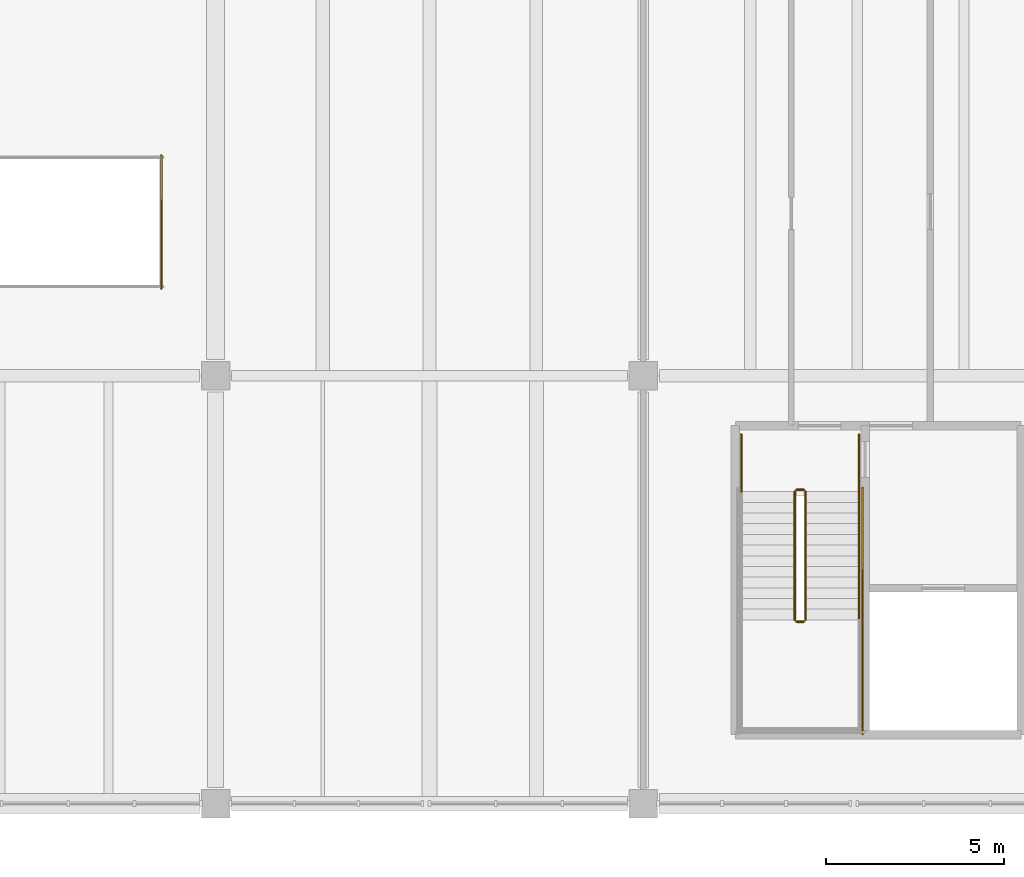
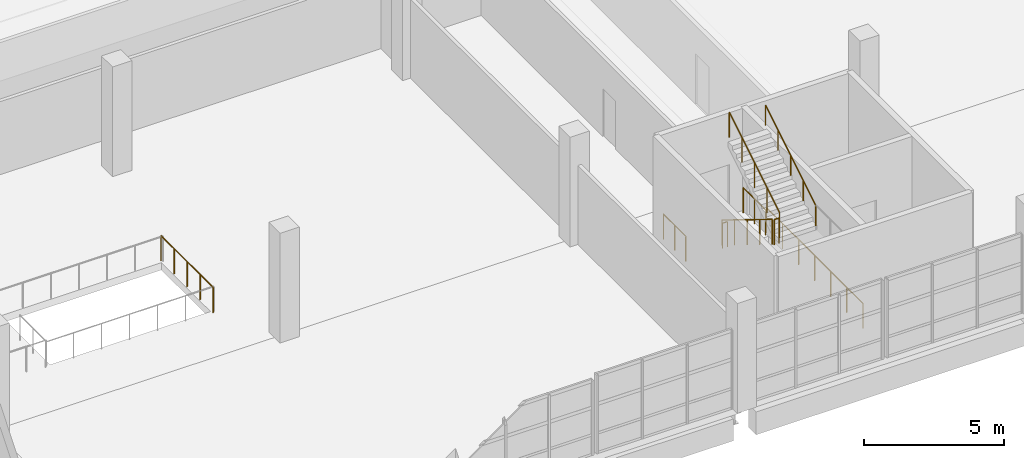
# One storey, part 101 of 112: 9 railings.
"""IFC4 building model written with IfcOpenShell, lengths in metres."""

from ifc_helpers import new_model, si_unit, direction, frame, origin, origin_2d, place, context, subcontext, project, spatial, circle, extrude, material, type_object, element, save


model = new_model("IFC4")

# Units and contexts
model_context = context("Model", 3, precision=1e-05, world=origin(), true_north=direction((0.0, 1.0)))
body_context = subcontext(model_context, "Body", "Model", "MODEL_VIEW")
ifc_project = project(units=[si_unit("LENGTHUNIT", "METRE"), si_unit("AREAUNIT", "SQUARE_METRE"), si_unit("VOLUMEUNIT", "CUBIC_METRE"), si_unit("PLANEANGLEUNIT", "RADIAN"), si_unit("MASSUNIT", "GRAM", prefix="KILO")], contexts=[model_context])

# Site, building, storey
site_placement = place(None, origin())
site = spatial("IfcSite", under=ifc_project, at=site_placement, CompositionType="ELEMENT")
building_placement = place(site_placement, origin())
building = spatial("IfcBuilding", under=site, at=building_placement, Name="Kamomehara Wholesale Market", CompositionType="ELEMENT")
storey_placement = place(building_placement, frame((0.0, 0.0, 6.60009765625)))
storey = spatial("IfcBuildingStorey", under=building, at=storey_placement, Name="L01", CompositionType="ELEMENT", Elevation=6.60009765625)

# Railings
ifc_material_1 = material(Name="Steel SN400B", Category="steel")
railing_type_1 = type_object("IfcRailingType", Name="RAL-HND-900", PredefinedType="HANDRAIL", material=ifc_material_1)
railing_1_placement = place(storey_placement, frame((150.050048828125, 17.14990234375, 2.58447265625)))
element("IfcRailing", 1, at=railing_1_placement, inside=storey, type_object=railing_type_1, Name="L01 ST-08 stair handrail 2", PredefinedType="HANDRAIL", context=body_context, shape_type="SweptSolid", body=[
    extrude(circle(Radius=0.02392578125, at=origin_2d()), frame((0.0, 0.0, 0.8759765625), z_axis=(0.0, 0.85167021472, 0.524078090897), x_axis=(-1.0, 0.0, 0.0)), (0.0, 0.0, 1.0), 4.22705078125),
    extrude(circle(Radius=0.02099609375, at=origin_2d()), origin(), (0.0, 0.0, 1.0), 0.851806640625),
    extrude(circle(Radius=0.02099609375, at=origin_2d()), frame((0.0, 0.89990234375, 0.5537109375)), (0.0, 0.0, 1.0), 0.851806640625),
    extrude(circle(Radius=0.02099609375, at=origin_2d()), frame((0.0, 1.800048828125, 1.107666015625)), (0.0, 0.0, 1.0), 0.851806640625),
    extrude(circle(Radius=0.02099609375, at=origin_2d()), frame((0.0, 2.7001953125, 1.66162109375)), (0.0, 0.0, 1.0), 0.851806640625),
    extrude(circle(Radius=0.02099609375, at=origin_2d()), frame((0.0, 3.60009765625, 2.21533203125)), (0.0, 0.0, 1.0), 0.851806640625),
])
ifc_material_2 = material(Name="Steel SN400B", Category="steel")
railing_type_2 = type_object("IfcRailingType", Name="RAL-INT-1100", PredefinedType="BALUSTRADE", material=ifc_material_2)
railing_2_placement = place(storey_placement, frame((148.25, 20.75, 0.1845703125)))
element("IfcRailing", 2, at=railing_2_placement, inside=storey, type_object=railing_type_2, Name="L01 ST-08 stair guard 1", PredefinedType="BALUSTRADE", context=body_context, shape_type="SweptSolid", body=[
    extrude(circle(Radius=0.02392578125, at=origin_2d()), frame((0.0, 0.0, 1.09619140625), z_axis=(0.0, -0.85167021472, 0.524078090897), x_axis=(1.0, 0.0, 0.0)), (0.0, 0.0, 1.0), 4.22705078125),
    extrude(circle(Radius=0.02099609375, at=origin_2d()), origin(), (0.0, 0.0, 1.0), 1.072021484375),
    extrude(circle(Radius=0.02099609375, at=origin_2d()), frame((0.0, -0.89990234375, 0.5537109375)), (0.0, 0.0, 1.0), 1.072021484375),
    extrude(circle(Radius=0.02099609375, at=origin_2d()), frame((0.0, -1.800048828125, 1.107666015625)), (0.0, 0.0, 1.0), 1.072021484375),
    extrude(circle(Radius=0.02099609375, at=origin_2d()), frame((0.0, -2.7001953125, 1.66162109375)), (0.0, 0.0, 1.0), 1.072021484375),
    extrude(circle(Radius=0.02099609375, at=origin_2d()), frame((0.0, -3.60009765625, 2.21533203125)), (0.0, 0.0, 1.0), 1.072021484375),
])
railing_3_placement = place(storey_placement, frame((148.300048828125, 17.10009765625, 2.39990234375)))
element("IfcRailing", 3, at=railing_3_placement, inside=storey, type_object=railing_type_2, Name="L01 ST-08 stair guard 2", PredefinedType="BALUSTRADE", context=body_context, shape_type="SweptSolid", body=[
    extrude(circle(Radius=0.02392578125, at=origin_2d()), frame((0.0, 0.0, 1.09619140625), z_axis=(1.0, 0.0, 0.0), x_axis=(0.0, 1.0, 0.0)), (0.0, 0.0, 1.0), 0.199951171875),
    extrude(circle(Radius=0.02099609375, at=origin_2d()), origin(), (0.0, 0.0, 1.0), 1.072021484375),
    extrude(circle(Radius=0.02099609375, at=origin_2d()), frame((0.199951171875, 0.0, 0.0)), (0.0, 0.0, 1.0), 1.072021484375),
])
railing_4_placement = place(storey_placement, frame((148.550048828125, 17.14990234375, 2.58447265625)))
element("IfcRailing", 4, at=railing_4_placement, inside=storey, type_object=railing_type_2, Name="L01 ST-08 stair guard 6", PredefinedType="BALUSTRADE", context=body_context, shape_type="SweptSolid", body=[
    extrude(circle(Radius=0.02392578125, at=origin_2d()), frame((0.0, 0.0, 1.09619140625), z_axis=(0.0, 0.85167021472, 0.524078090897), x_axis=(-1.0, 0.0, 0.0)), (0.0, 0.0, 1.0), 4.22705078125),
    extrude(circle(Radius=0.02099609375, at=origin_2d()), origin(), (0.0, 0.0, 1.0), 1.072021484375),
    extrude(circle(Radius=0.02099609375, at=origin_2d()), frame((0.0, 0.89990234375, 0.5537109375)), (0.0, 0.0, 1.0), 1.072021484375),
    extrude(circle(Radius=0.02099609375, at=origin_2d()), frame((0.0, 1.800048828125, 1.107666015625)), (0.0, 0.0, 1.0), 1.072021484375),
    extrude(circle(Radius=0.02099609375, at=origin_2d()), frame((0.0, 2.7001953125, 1.66162109375)), (0.0, 0.0, 1.0), 1.072021484375),
    extrude(circle(Radius=0.02099609375, at=origin_2d()), frame((0.0, 3.60009765625, 2.21533203125)), (0.0, 0.0, 1.0), 1.072021484375),
])
railing_5_placement = place(storey_placement, frame((148.300048828125, 20.800048828125, 0.0)))
element("IfcRailing", 5, at=railing_5_placement, inside=storey, type_object=railing_type_2, Name="L01 ST-08 stair guard 7", PredefinedType="BALUSTRADE", context=body_context, shape_type="SweptSolid", body=[
    extrude(circle(Radius=0.02392578125, at=origin_2d()), frame((0.0, 0.0, 1.09619140625), z_axis=(1.0, 0.0, 0.0), x_axis=(0.0, 1.0, 0.0)), (0.0, 0.0, 1.0), 0.199951171875),
    extrude(circle(Radius=0.02099609375, at=origin_2d()), origin(), (0.0, 0.0, 1.0), 1.072021484375),
    extrude(circle(Radius=0.02099609375, at=origin_2d()), frame((0.199951171875, 0.0, 0.0)), (0.0, 0.0, 1.0), 1.072021484375),
])
for number, where, name in (
    (6, (146.75, 22.35009765625, 0.0), "L01 ST-08 stair guard 8"),
    (7, (150.050048828125, 22.35009765625, 0.0), "L01 ST-08 stair guard 9"),
):
    element("IfcRailing", number, at=place(storey_placement, frame(where)), inside=storey, type_object=railing_type_2, Name=name, PredefinedType="BALUSTRADE", context=body_context, shape_type="SweptSolid", body=[
        extrude(circle(Radius=0.02392578125, at=origin_2d()), frame((0.0, 0.0, 1.09619140625), z_axis=(0.0, -1.0, 0.0), x_axis=(1.0, 0.0, 0.0)), (0.0, 0.0, 1.0), 1.60009765625),
        extrude(circle(Radius=0.02099609375, at=origin_2d()), origin(), (0.0, 0.0, 1.0), 1.072021484375),
        extrude(circle(Radius=0.02099609375, at=origin_2d()), frame((0.0, -0.800048828125, 0.0)), (0.0, 0.0, 1.0), 1.072021484375),
        extrude(circle(Radius=0.02099609375, at=origin_2d()), frame((0.0, -1.60009765625, 0.0)), (0.0, 0.0, 1.0), 1.072021484375),
    ])
railing_6_placement = place(storey_placement, frame((150.14990234375, 20.85009765625, 0.0)))
element("IfcRailing", 8, at=railing_6_placement, inside=storey, type_object=railing_type_2, Name="L01 ST-08 stair guard 11", PredefinedType="BALUSTRADE", context=body_context, shape_type="SweptSolid", body=[
    extrude(circle(Radius=0.02392578125, at=origin_2d()), frame((0.0, 0.0, 1.09619140625), z_axis=(0.0, -1.0, 0.0), x_axis=(1.0, 0.0, 0.0)), (0.0, 0.0, 1.0), 6.900146484375),
    extrude(circle(Radius=0.02099609375, at=origin_2d()), origin(), (0.0, 0.0, 1.0), 1.072021484375),
    extrude(circle(Radius=0.02099609375, at=origin_2d()), frame((0.0, -1.14990234375, 0.0)), (0.0, 0.0, 1.0), 1.072021484375),
    extrude(circle(Radius=0.02099609375, at=origin_2d()), frame((0.0, -2.300048828125, 0.0)), (0.0, 0.0, 1.0), 1.072021484375),
    extrude(circle(Radius=0.02099609375, at=origin_2d()), frame((0.0, -3.4501953125, 0.0)), (0.0, 0.0, 1.0), 1.072021484375),
    extrude(circle(Radius=0.02099609375, at=origin_2d()), frame((0.0, -4.60009765625, 0.0)), (0.0, 0.0, 1.0), 1.072021484375),
    extrude(circle(Radius=0.02099609375, at=origin_2d()), frame((0.0, -5.75, 0.0)), (0.0, 0.0, 1.0), 1.072021484375),
    extrude(circle(Radius=0.02099609375, at=origin_2d()), frame((0.0, -6.900146484375, 0.0)), (0.0, 0.0, 1.0), 1.072021484375),
])
railing_7_placement = place(storey_placement, frame((130.47998046875, 26.449951171875, 0.0)))
element("IfcRailing", 9, at=railing_7_placement, inside=storey, type_object=railing_type_2, Name="L01 ST-17 top well guard 4", PredefinedType="BALUSTRADE", context=body_context, shape_type="SweptSolid", body=[
    extrude(circle(Radius=0.02392578125, at=origin_2d()), frame((0.0, 0.0, 1.09619140625), z_axis=(0.0, 1.0, 0.0), x_axis=(-1.0, 0.0, 0.0)), (0.0, 0.0, 1.0), 3.72998046875),
    extrude(circle(Radius=0.02099609375, at=origin_2d()), origin(), (0.0, 0.0, 1.0), 1.072021484375),
    extrude(circle(Radius=0.02099609375, at=origin_2d()), frame((0.0, 0.9326171875, 0.0)), (0.0, 0.0, 1.0), 1.072021484375),
    extrude(circle(Radius=0.02099609375, at=origin_2d()), frame((0.0, 1.864990234375, 0.0)), (0.0, 0.0, 1.0), 1.072021484375),
    extrude(circle(Radius=0.02099609375, at=origin_2d()), frame((0.0, 2.79736328125, 0.0)), (0.0, 0.0, 1.0), 1.072021484375),
    extrude(circle(Radius=0.02099609375, at=origin_2d()), frame((0.0, 3.72998046875, 0.0)), (0.0, 0.0, 1.0), 1.072021484375),
])

save(model, "model.ifc")
